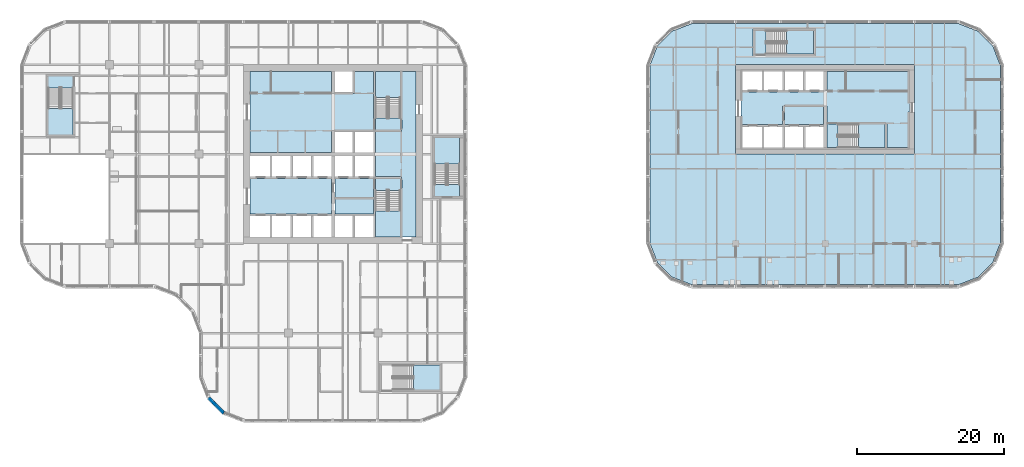
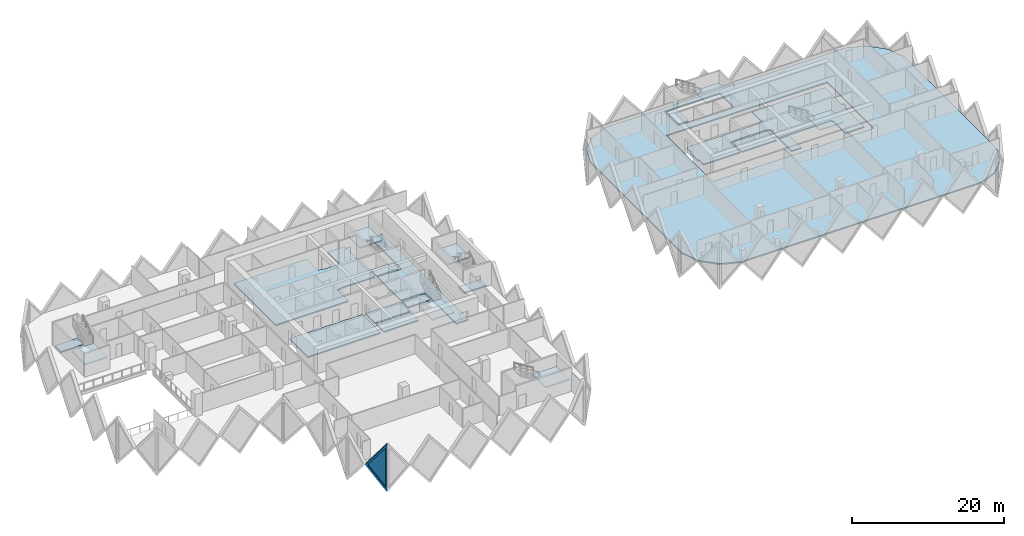
# One storey, part 3 of 20: 21 slabs, 1 plate, 1 wall, 1 opening, 7 elements without a shape of their own.
"""IFC4 building model written with IfcOpenShell, lengths in metres."""

import ifcopenshell
import ifcopenshell.guid

model = None  # the IFC model being written
_history = None  # IfcOwnerHistory: only IFC2X3 demands one
_inside = {}  # id of a spatial element -> (the spatial element, [elements in it])
_under = {}  # id of a project, library or spatial element -> (it, [spatial elements below it])
_declared = {}  # id of a project -> (the project, [libraries it declares])
_typed = {}  # id of a type object -> (the type object, [elements of that type])
_made_of = {}  # id of a material, layer set ... -> (it, [elements and type objects made of it])


def new_model(schema):
    """Start an empty IFC model of exactly this schema.

    Asked for "IFC4X3", IfcOpenShell would pick the latest addendum, in which some entities
    have other attributes; the version numbers below select the first issue.
    IFC2X3 requires an IfcOwnerHistory on every rooted entity: one is made here for all.
    """
    global model, _history
    if schema == "IFC4X3":
        model = ifcopenshell.file(schema_version=(4, 3, 0, 0))
    else:
        model = ifcopenshell.file(schema=schema)
    _inside.clear()
    _under.clear()
    _declared.clear()
    _typed.clear()
    _made_of.clear()
    _history = None
    if model.schema == "IFC2X3":
        org = make("IfcOrganization", Name="unknown")
        user = make(
            "IfcPersonAndOrganization",
            ThePerson=make("IfcPerson", FamilyName="unknown"),
            TheOrganization=org,
        )
        app = make(
            "IfcApplication",
            ApplicationDeveloper=org,
            Version="unknown",
            ApplicationFullName="unknown",
            ApplicationIdentifier="unknown",
        )
        _history = make(
            "IfcOwnerHistory",
            OwningUser=user,
            OwningApplication=app,
            ChangeAction="ADDED",
            CreationDate=0,
        )
    return model


def make(cls, **values):
    """One entity of the class cls with the attributes given. An attribute that is None is left unset."""
    return model.create_entity(
        cls, **{name: value for name, value in values.items() if value is not None}
    )


def rooted(cls, **values):
    """An entity with a GlobalId (a new one), such as an element, a storey or a relation."""
    return make(cls, GlobalId=ifcopenshell.guid.new(), OwnerHistory=_history, **values)


def si_unit(unit_type, name, prefix=None):
    """IfcSIUnit, for example si_unit("LENGTHUNIT", "METRE", prefix="MILLI")."""
    return make("IfcSIUnit", UnitType=unit_type, Prefix=prefix, Name=name)


def assignment(units):
    """IfcUnitAssignment: the units of a project."""
    return None if units is None else make("IfcUnitAssignment", Units=units)


def point(xyz):
    """IfcCartesianPoint."""
    return None if xyz is None else make("IfcCartesianPoint", Coordinates=xyz)


def direction(xyz):
    """IfcDirection."""
    return None if xyz is None else make("IfcDirection", DirectionRatios=xyz)


def frame(location, z_axis=None, x_axis=None):
    """IfcAxis2Placement3D, a coordinate frame: its origin and axes. An axis left out is left unset."""
    return make(
        "IfcAxis2Placement3D",
        Location=point(location),
        Axis=direction(z_axis),
        RefDirection=direction(x_axis),
    )


def origin():
    """The frame at (0, 0, 0) with its axes left unset."""
    return frame((0.0, 0.0, 0.0))


def place(relative_to, where):
    """IfcLocalPlacement: puts the frame where relative to a parent placement (None: the world)."""
    return make(
        "IfcLocalPlacement", PlacementRelTo=relative_to, RelativePlacement=where
    )


def context(
    kind, dimensions, precision=None, world=None, true_north=None, identifier=None
):
    """IfcGeometricRepresentationContext, for example the 3D "Model" context."""
    return make(
        "IfcGeometricRepresentationContext",
        ContextIdentifier=identifier,
        ContextType=kind,
        CoordinateSpaceDimension=dimensions,
        Precision=precision,
        WorldCoordinateSystem=world,
        TrueNorth=true_north,
    )


def subcontext(parent, identifier, kind, view, scale=None):
    """IfcGeometricRepresentationSubContext, for example "Body" below "Model"."""
    return make(
        "IfcGeometricRepresentationSubContext",
        ContextIdentifier=identifier,
        ContextType=kind,
        ParentContext=parent,
        TargetScale=scale,
        TargetView=view,
    )


def project(units=None, contexts=None):
    """IfcProject with its units and contexts."""
    return rooted(
        "IfcProject",
        Name="project",
        RepresentationContexts=contexts,
        UnitsInContext=assignment(units),
    )


def spatial(cls, under=None, at=None, **own):
    """A site, building, storey or space (cls), placed at a placement, below another one or the project."""
    s = rooted(cls, ObjectPlacement=at, **own)
    if under is not None:
        _under.setdefault(under.id(), (under, []))[1].append(s)
    return s


def polyline(points):
    """IfcPolyline through the points."""
    return make("IfcPolyline", Points=[point(p) for p in points])


def outline(outer, holes=None, kind="AREA"):
    """IfcArbitraryClosedProfileDef: a profile drawn as a closed curve; with holes, ...WithVoids."""
    if holes is None:
        return make("IfcArbitraryClosedProfileDef", ProfileType=kind, OuterCurve=outer)
    return make(
        "IfcArbitraryProfileDefWithVoids",
        ProfileType=kind,
        OuterCurve=outer,
        InnerCurves=holes,
    )


def extrude(swept, where, along, depth):
    """IfcExtrudedAreaSolid: the profile swept, set in the frame where, extruded along a direction by depth."""
    return make(
        "IfcExtrudedAreaSolid",
        SweptArea=swept,
        Position=where,
        ExtrudedDirection=direction(along),
        Depth=depth,
    )


def faces_of(points, faces, orient=None, outer=None):
    """IfcFace entities. A face is a list of loops; a loop is a list of indices into points, from 0.

    orient and outer hold one flag for each loop. By default every Orientation is true, the
    first loop of a face is its IfcFaceOuterBound and the others are IfcFaceBound.
    """
    made = []
    for i, loops in enumerate(faces):
        bounds = []
        for j, loop in enumerate(loops):
            is_outer = j == 0 if outer is None else outer[i][j]
            bounds.append(
                make(
                    "IfcFaceOuterBound" if is_outer else "IfcFaceBound",
                    Bound=make("IfcPolyLoop", Polygon=[points[k] for k in loop]),
                    Orientation=True if orient is None else orient[i][j],
                )
            )
        made.append(make("IfcFace", Bounds=bounds))
    return made


def faceted_brep(points, faces, orient=None, outer=None, voids=None):
    """IfcFacetedBrep: a solid bounded by flat faces; with voids (closed shells), ...WithVoids."""
    shared = [point(p) for p in points]
    hull = make("IfcClosedShell", CfsFaces=faces_of(shared, faces, orient, outer))
    if voids is None:
        return make("IfcFacetedBrep", Outer=hull)
    return make(
        "IfcFacetedBrepWithVoids",
        Outer=hull,
        Voids=[
            make(cls, CfsFaces=faces_of(shared, fs, o, b)) for cls, fs, o, b in voids
        ],
    )


def shape(context_of_items, identifier, shape_type, items):
    """IfcShapeRepresentation: the items that make up one representation, for example the "Body"."""
    return make(
        "IfcShapeRepresentation",
        ContextOfItems=context_of_items,
        RepresentationIdentifier=identifier,
        RepresentationType=shape_type,
        Items=items,
    )


def source(mapping_origin, context_of_items, identifier, shape_type, items):
    """IfcRepresentationMap: a shape defined once, which mapped items show again and again."""
    return make(
        "IfcRepresentationMap",
        MappingOrigin=mapping_origin,
        MappedRepresentation=shape(context_of_items, identifier, shape_type, items),
    )


def transform(
    local_origin,
    x_axis=None,
    y_axis=None,
    z_axis=None,
    scale=None,
    scale2=None,
    scale3=None,
    uniform=True,
):
    """IfcCartesianTransformationOperator3D, or its non-uniform kind. x_axis, y_axis, z_axis: its Axis1, 2, 3."""
    if uniform:
        return make(
            "IfcCartesianTransformationOperator3D",
            Axis1=direction(x_axis),
            Axis2=direction(y_axis),
            LocalOrigin=point(local_origin),
            Scale=scale,
            Axis3=direction(z_axis),
        )
    return make(
        "IfcCartesianTransformationOperator3DnonUniform",
        Axis1=direction(x_axis),
        Axis2=direction(y_axis),
        LocalOrigin=point(local_origin),
        Scale=scale,
        Axis3=direction(z_axis),
        Scale2=scale2,
        Scale3=scale3,
    )


def mapped(mapping_source, mapping_target):
    """IfcMappedItem: shows the shape of a source again, moved by a transform."""
    return make(
        "IfcMappedItem", MappingSource=mapping_source, MappingTarget=mapping_target
    )


def material(Name=None, Category=None):
    """IfcMaterial."""
    return make("IfcMaterial", Name=Name, Category=Category)


def layer(
    of_material, thickness, ventilated=None, Name=None, Category=None, Priority=None
):
    """IfcMaterialLayer: one layer of a wall or slab, of a material (None: an air gap)."""
    return make(
        "IfcMaterialLayer",
        Material=of_material,
        LayerThickness=thickness,
        IsVentilated=ventilated,
        Name=Name,
        Category=Category,
        Priority=Priority,
    )


def layer_set(layers, Name=None):
    """IfcMaterialLayerSet."""
    return make("IfcMaterialLayerSet", MaterialLayers=layers, LayerSetName=Name)


def made_of(thing, what):
    """Note that an element or type object is made of a material, layer set ...; save() writes the relation."""
    if what is not None:
        _made_of.setdefault(what.id(), (what, []))[1].append(thing)
    return thing


def type_object(cls, material=None, **own):
    """A type object (cls), such as IfcWallType, which elements share."""
    return made_of(rooted(cls, **own), material)


def element(
    cls,
    number,
    at=None,
    inside=None,
    cuts=None,
    type_object=None,
    material=None,
    context=None,
    identifier="Body",
    shape_type=None,
    held_by="IfcProductDefinitionShape",
    body=None,
    shapes=None,
    **own,
):
    """One element of the class cls, such as IfcWall. Its Tag is "e" and its number.

    at: its placement. inside: the storey or other place that contains it. cuts: it is an
    opening in that element (IfcRelVoidsElement). A single representation is given by context,
    identifier, shape_type and body (its items); several are given by shapes. held_by: the class
    of the entity that holds the representations. save() writes the other relations.
    """
    e = rooted(cls, Tag="e%d" % number, ObjectPlacement=at, **own)
    if body is not None:
        shapes = [shape(context, identifier, shape_type, body)]
    if shapes is not None:
        e.Representation = make(held_by, Representations=shapes)
    if inside is not None:
        _inside.setdefault(inside.id(), (inside, []))[1].append(e)
    if cuts is not None:
        rooted(
            "IfcRelVoidsElement", RelatingBuildingElement=cuts, RelatedOpeningElement=e
        )
    if type_object is not None:
        _typed.setdefault(type_object.id(), (type_object, []))[1].append(e)
    return made_of(e, material)


def fill(opening, filler):
    """IfcRelFillsElement: the door or window that sits in an opening."""
    return rooted(
        "IfcRelFillsElement",
        RelatingOpeningElement=opening,
        RelatedBuildingElement=filler,
    )


def aggregate(whole, parts):
    """IfcRelAggregates: a whole, such as a stair, and the parts it consists of."""
    return rooted("IfcRelAggregates", RelatingObject=whole, RelatedObjects=parts)


def save(model, path):
    """Write the relations noted so far, then the file.

    IfcRelAggregates (storeys below a building ...), IfcRelContainedInSpatialStructure (elements
    in a storey), IfcRelDefinesByType, IfcRelAssociatesMaterial and IfcRelDeclares: one each for
    every whole, place, type object, material and project.
    """
    for whole, parts in _under.values():
        aggregate(whole, parts)
    for where, things in _inside.values():
        rooted(
            "IfcRelContainedInSpatialStructure",
            RelatedElements=things,
            RelatingStructure=where,
        )
    for kind, things in _typed.values():
        rooted("IfcRelDefinesByType", RelatedObjects=things, RelatingType=kind)
    for what, things in _made_of.values():
        rooted("IfcRelAssociatesMaterial", RelatedObjects=things, RelatingMaterial=what)
    for by, libraries in _declared.values():
        rooted("IfcRelDeclares", RelatingContext=by, RelatedDefinitions=libraries)
    model.write(path)


model = new_model("IFC4")

# Units and contexts
model_context = context("Model", 3, precision=1e-05, world=origin(), true_north=direction((0.0, 1.0)))
body_context = subcontext(model_context, "Body", "Model", "MODEL_VIEW")
ifc_project = project(units=[si_unit("LENGTHUNIT", "METRE"), si_unit("AREAUNIT", "SQUARE_METRE"), si_unit("VOLUMEUNIT", "CUBIC_METRE"), si_unit("PLANEANGLEUNIT", "RADIAN"), si_unit("MASSUNIT", "GRAM", prefix="KILO")], contexts=[model_context])

# Site, building, storey
site_placement = place(None, origin())
site = spatial("IfcSite", under=ifc_project, at=site_placement, CompositionType="ELEMENT")
building_placement = place(site_placement, origin())
building = spatial("IfcBuilding", under=site, at=building_placement, Name="Tessera Gate Towers", CompositionType="ELEMENT")
storey_placement = place(building_placement, frame((0.0, 0.0, 52.39990234375)))
storey = spatial("IfcBuildingStorey", under=building, at=storey_placement, Name="L12", CompositionType="ELEMENT", Elevation=52.39990234375)

# Slabs
ifc_material_1 = material(Name="Concrete C35/45", Category="concrete")
ifc_layer_1 = layer(ifc_material_1, 0.199951171875)
ifc_layer_set_1 = layer_set([ifc_layer_1], Name="COMPOSITE FLOOR 200")
slab_type_1 = type_object("IfcSlabType", Name="COMPOSITE FLOOR 200", PredefinedType="FLOOR", material=ifc_layer_set_1)
slab_1_placement = place(storey_placement, frame((0.0, 0.0, -0.199951171875)))
element("IfcSlab", 1, at=slab_1_placement, inside=storey, type_object=slab_type_1, Name="T2-L12", PredefinedType="FLOOR", context=body_context, shape_type="SweptSolid", body=[
    extrude(outline(polyline([(85.89990234375, 24.4931640625), (86.926025390625, 21.8330078125), (88.93310546875, 19.826171875), (91.593017578125, 18.800048828125), (128.0068359375, 18.800048828125), (130.6669921875, 19.826171875), (132.673828125, 21.8330078125), (133.699951171875, 24.4931640625), (133.699951171875, 48.706787109375), (132.673828125, 51.366943359375), (130.6669921875, 53.373779296875), (128.0068359375, 54.39990234375), (91.593017578125, 54.39990234375), (88.93310546875, 53.373779296875), (86.926025390625, 51.366943359375), (85.89990234375, 48.706787109375), (85.89990234375, 24.4931640625)]), holes=[polyline([(97.60009765625, 36.60009765625), (97.60009765625, 48.800048828125), (122.0, 48.800048828125), (122.0, 36.60009765625), (97.60009765625, 36.60009765625)]), polyline([(100.0, 50.0), (100.0, 53.699951171875), (108.5, 53.699951171875), (108.5, 50.0), (100.0, 50.0)])]), origin(), (0.0, 0.0, 1.0), 0.199951171875),
])
ifc_material_2 = material(Name="Concrete C35/45", Category="concrete")
ifc_layer_2 = layer(ifc_material_2, 0.199951171875)
ifc_layer_set_2 = layer_set([ifc_layer_2], Name="CORE FLOOR SLAB 200")
slab_type_2 = type_object("IfcSlabType", Name="CORE FLOOR SLAB 200", PredefinedType="FLOOR", material=ifc_layer_set_2)
slab_2_placement = place(storey_placement, frame((0.0, 0.0, -0.199951171875)))
element("IfcSlab", 2, at=slab_2_placement, inside=storey, type_object=slab_type_2, Name="L12 core floor slab", PredefinedType="FLOOR", context=body_context, shape_type="SweptSolid", body=[
    extrude(outline(polyline([(31.39990234375, 47.89990234375), (31.39990234375, 36.85009765625), (42.449951171875, 36.85009765625), (42.449951171875, 39.800048828125), (42.949951171875, 39.800048828125), (42.949951171875, 39.925048828125), (48.22509765625, 39.925048828125), (48.22509765625, 47.89990234375), (45.64990234375, 47.89990234375), (45.64990234375, 44.89990234375), (45.39990234375, 44.89990234375), (45.39990234375, 44.77490234375), (42.949951171875, 44.77490234375), (42.949951171875, 44.89990234375), (42.449951171875, 44.89990234375), (42.449951171875, 47.89990234375), (31.39990234375, 47.89990234375)])), origin(), (0.0, 0.0, 1.0), 0.199951171875),
])
slab_3_placement = place(storey_placement, frame((0.0, 0.0, -0.199951171875)))
element("IfcSlab", 3, at=slab_3_placement, inside=storey, type_object=slab_type_2, Name="L12 core floor slab", PredefinedType="FLOOR", context=body_context, shape_type="SweptSolid", body=[
    extrude(outline(polyline([(48.35009765625, 36.85009765625), (48.35009765625, 36.35009765625), (48.47509765625, 36.35009765625), (48.47509765625, 33.52490234375), (52.0, 33.52490234375), (52.0, 33.27490234375), (52.125, 33.27490234375), (52.125, 25.300048828125), (54.0, 25.300048828125), (54.0, 47.89990234375), (52.125, 47.89990234375), (52.125, 39.925048828125), (52.0, 39.925048828125), (52.0, 39.675048828125), (48.47509765625, 39.675048828125), (48.47509765625, 36.85009765625), (48.35009765625, 36.85009765625)])), origin(), (0.0, 0.0, 1.0), 0.199951171875),
])
slab_4_placement = place(storey_placement, frame((0.0, 0.0, -0.199951171875)))
element("IfcSlab", 4, at=slab_4_placement, inside=storey, type_object=slab_type_2, Name="L12 core floor slab", PredefinedType="FLOOR", context=body_context, shape_type="SweptSolid", body=[
    extrude(outline(polyline([(42.449951171875, 28.425048828125), (42.449951171875, 33.27490234375), (31.39990234375, 33.27490234375), (31.39990234375, 28.425048828125), (42.449951171875, 28.425048828125)])), origin(), (0.0, 0.0, 1.0), 0.199951171875),
])
slab_5_placement = place(storey_placement, frame((0.0, 0.0, -0.199951171875)))
element("IfcSlab", 5, at=slab_5_placement, inside=storey, type_object=slab_type_2, Name="L12 core floor slab", PredefinedType="FLOOR", context=body_context, shape_type="SweptSolid", body=[
    extrude(outline(polyline([(42.949951171875, 33.27490234375), (42.949951171875, 30.72509765625), (48.22509765625, 30.72509765625), (48.22509765625, 33.27490234375), (42.949951171875, 33.27490234375)])), origin(), (0.0, 0.0, 1.0), 0.199951171875),
])
slab_6_placement = place(storey_placement, frame((0.0, 0.0, -0.199951171875)))
element("IfcSlab", 6, at=slab_6_placement, inside=storey, type_object=slab_type_2, Name="L12 core floor slab", PredefinedType="FLOOR", context=body_context, shape_type="SweptSolid", body=[
    extrude(outline(polyline([(42.949951171875, 30.47509765625), (42.949951171875, 28.425048828125), (48.22509765625, 28.425048828125), (48.22509765625, 30.47509765625), (42.949951171875, 30.47509765625)])), origin(), (0.0, 0.0, 1.0), 0.199951171875),
])
slab_7_placement = place(storey_placement, frame((0.0, 0.0, -0.199951171875)))
element("IfcSlab", 7, at=slab_7_placement, inside=storey, type_object=slab_type_2, Name="L12 core floor slab", PredefinedType="FLOOR", context=body_context, shape_type="SweptSolid", body=[
    extrude(outline(polyline([(51.875, 31.675048828125), (51.875, 33.27490234375), (48.47509765625, 33.27490234375), (48.47509765625, 31.675048828125), (51.875, 31.675048828125)])), origin(), (0.0, 0.0, 1.0), 0.199951171875),
])
slab_8_placement = place(storey_placement, frame((0.0, 0.0, -0.199951171875)))
element("IfcSlab", 8, at=slab_8_placement, inside=storey, type_object=slab_type_2, Name="L12 core floor slab", PredefinedType="FLOOR", context=body_context, shape_type="SweptSolid", body=[
    extrude(outline(polyline([(48.47509765625, 41.52490234375), (48.47509765625, 39.925048828125), (51.875, 39.925048828125), (51.875, 41.52490234375), (48.47509765625, 41.52490234375)])), origin(), (0.0, 0.0, 1.0), 0.199951171875),
])
slab_9_placement = place(storey_placement, frame((0.0, 0.0, -0.199951171875)))
element("IfcSlab", 9, at=slab_9_placement, inside=storey, type_object=slab_type_2, Name="L12 ST3 floor landing", PredefinedType="FLOOR", context=body_context, shape_type="SweptSolid", body=[
    extrude(outline(polyline([(3.85009765625, 47.25), (3.85009765625, 45.64990234375), (7.25, 45.64990234375), (7.25, 47.25), (3.85009765625, 47.25)])), origin(), (0.0, 0.0, 1.0), 0.199951171875),
])
slab_10_placement = place(storey_placement, frame((0.0, 0.0, -0.199951171875)))
element("IfcSlab", 10, at=slab_10_placement, inside=storey, type_object=slab_type_2, Name="L12 ST5 floor landing", PredefinedType="FLOOR", context=body_context, shape_type="SweptSolid", body=[
    extrude(outline(polyline([(59.949951171875, 30.85009765625), (59.949951171875, 32.449951171875), (56.550048828125, 32.449951171875), (56.550048828125, 30.85009765625), (59.949951171875, 30.85009765625)])), origin(), (0.0, 0.0, 1.0), 0.199951171875),
])
slab_11_placement = place(storey_placement, frame((0.0, 0.0, -0.199951171875)))
element("IfcSlab", 11, at=slab_11_placement, inside=storey, type_object=slab_type_2, Name="L12 core floor slab", PredefinedType="FLOOR", context=body_context, shape_type="SweptSolid", body=[
    extrude(outline(polyline([(109.550048828125, 45.199951171875), (109.550048828125, 45.074951171875), (98.5, 45.074951171875), (98.5, 43.89990234375), (98.300048828125, 43.89990234375), (98.300048828125, 41.800048828125), (98.5, 41.800048828125), (98.5, 40.625), (104.02490234375, 40.625), (104.02490234375, 43.199951171875), (104.27490234375, 43.199951171875), (104.27490234375, 43.324951171875), (109.550048828125, 43.324951171875), (109.550048828125, 43.199951171875), (110.050048828125, 43.199951171875), (110.050048828125, 40.949951171875), (118.10009765625, 40.949951171875), (118.10009765625, 40.699951171875), (118.22509765625, 40.699951171875), (118.22509765625, 37.5), (121.10009765625, 37.5), (121.10009765625, 42.35009765625), (121.300048828125, 42.35009765625), (121.300048828125, 43.550048828125), (121.10009765625, 43.550048828125), (121.10009765625, 47.89990234375), (110.050048828125, 47.89990234375), (110.050048828125, 45.199951171875), (109.550048828125, 45.199951171875)])), origin(), (0.0, 0.0, 1.0), 0.199951171875),
])
slab_12_placement = place(storey_placement, frame((0.0, 0.0, -0.199951171875)))
element("IfcSlab", 12, at=slab_12_placement, inside=storey, type_object=slab_type_2, Name="L12 core floor slab", PredefinedType="FLOOR", context=body_context, shape_type="SweptSolid", body=[
    extrude(outline(polyline([(109.550048828125, 43.074951171875), (104.27490234375, 43.074951171875), (104.27490234375, 40.625), (109.550048828125, 40.625), (109.550048828125, 43.074951171875)])), origin(), (0.0, 0.0, 1.0), 0.199951171875),
])
slab_13_placement = place(storey_placement, frame((0.0, 0.0, -0.199951171875)))
element("IfcSlab", 13, at=slab_13_placement, inside=storey, type_object=slab_type_2, Name="L12 core floor slab", PredefinedType="FLOOR", context=body_context, shape_type="SweptSolid", body=[
    extrude(outline(polyline([(111.550048828125, 37.5), (111.550048828125, 40.699951171875), (110.050048828125, 40.699951171875), (110.050048828125, 37.5), (111.550048828125, 37.5)])), origin(), (0.0, 0.0, 1.0), 0.199951171875),
])
slab_14_placement = place(storey_placement, frame((0.0, 0.0, -0.199951171875)))
element("IfcSlab", 14, at=slab_14_placement, inside=storey, type_object=slab_type_2, Name="L12 ST7 floor landing", PredefinedType="FLOOR", context=body_context, shape_type="SweptSolid", body=[
    extrude(outline(polyline([(100.25, 50.25), (101.75, 50.25), (101.75, 53.449951171875), (100.25, 53.449951171875), (100.25, 50.25)])), origin(), (0.0, 0.0, 1.0), 0.199951171875),
])

# Stair, slab
ifc_material_3 = material(Name="Concrete C40/50", Category="concrete")
stair_type_1 = type_object("IfcStairType", Name="EXIT STAIR ST1 1600", PredefinedType="HALF_TURN_STAIR", material=ifc_material_3)
stair_1_placement = place(storey_placement, origin())
stair_1 = element("IfcStair", 15, at=stair_1_placement, inside=storey, type_object=stair_type_1, Name="L12 Protected Exit Stair ST1", PredefinedType="HALF_TURN_STAIR")
ifc_material_4 = material(Name="Concrete C40/50", Category="concrete")
ifc_layer_3 = layer(ifc_material_4, 0.199951171875)
ifc_layer_set_3 = layer_set([ifc_layer_3], Name="EXIT STAIR LANDING 200")
slab_type_3 = type_object("IfcSlabType", Name="EXIT STAIR LANDING 200", PredefinedType="LANDING", material=ifc_layer_set_3)
slab_15_placement = place(storey_placement, frame((0.0, 0.0, 1.7001953125)))
slab_15 = element("IfcSlab", 16, at=slab_15_placement, type_object=slab_type_3, Name="ST1 landing 1", PredefinedType="LANDING", context=body_context, shape_type="SweptSolid", body=[
    extrude(outline(polyline([(48.47509765625, 28.875), (48.47509765625, 25.300048828125), (51.875, 25.300048828125), (51.875, 28.875), (48.47509765625, 28.875)])), origin(), (0.0, 0.0, 1.0), 0.199951171875),
])
aggregate(stair_1, [slab_15])

ifc_material_5 = material(Name="Concrete C40/50", Category="concrete")
stair_type_2 = type_object("IfcStairType", Name="EXIT STAIR ST2 1600", PredefinedType="HALF_TURN_STAIR", material=ifc_material_5)
stair_2_placement = place(storey_placement, origin())
stair_2 = element("IfcStair", 17, at=stair_2_placement, inside=storey, type_object=stair_type_2, Name="L12 Protected Exit Stair ST2", PredefinedType="HALF_TURN_STAIR")
slab_16_placement = place(storey_placement, frame((0.0, 0.0, 1.7001953125)))
slab_16 = element("IfcSlab", 18, at=slab_16_placement, type_object=slab_type_3, Name="ST2 landing 1", PredefinedType="LANDING", context=body_context, shape_type="SweptSolid", body=[
    extrude(outline(polyline([(51.875, 44.324951171875), (51.875, 47.89990234375), (48.47509765625, 47.89990234375), (48.47509765625, 44.324951171875), (51.875, 44.324951171875)])), origin(), (0.0, 0.0, 1.0), 0.199951171875),
])
aggregate(stair_2, [slab_16])

ifc_material_6 = material(Name="Concrete C40/50", Category="concrete")
stair_type_3 = type_object("IfcStairType", Name="EXIT STAIR ST3 1600", PredefinedType="HALF_TURN_STAIR", material=ifc_material_6)
stair_3_placement = place(storey_placement, origin())
stair_3 = element("IfcStair", 19, at=stair_3_placement, inside=storey, type_object=stair_type_3, Name="L12 West Exit Stair ST3", PredefinedType="HALF_TURN_STAIR")
slab_17_placement = place(storey_placement, frame((0.0, 0.0, 1.7001953125)))
slab_17 = element("IfcSlab", 20, at=slab_17_placement, type_object=slab_type_3, Name="ST3 landing 1", PredefinedType="LANDING", context=body_context, shape_type="SweptSolid", body=[
    extrude(outline(polyline([(3.85009765625, 42.85009765625), (3.85009765625, 39.25), (7.25, 39.25), (7.25, 42.85009765625), (3.85009765625, 42.85009765625)])), origin(), (0.0, 0.0, 1.0), 0.199951171875),
])
aggregate(stair_3, [slab_17])

ifc_material_7 = material(Name="Concrete C40/50", Category="concrete")
stair_type_4 = type_object("IfcStairType", Name="EXIT STAIR ST4 1600", PredefinedType="HALF_TURN_STAIR", material=ifc_material_7)
stair_4_placement = place(storey_placement, origin())
stair_4 = element("IfcStair", 21, at=stair_4_placement, inside=storey, type_object=stair_type_4, Name="L12 South Exit Stair ST4", PredefinedType="HALF_TURN_STAIR")
slab_18_placement = place(storey_placement, frame((0.0, 0.0, 1.7001953125)))
slab_18 = element("IfcSlab", 22, at=slab_18_placement, type_object=slab_type_3, Name="ST4 landing 1", PredefinedType="LANDING", context=body_context, shape_type="SweptSolid", body=[
    extrude(outline(polyline([(53.64990234375, 4.449951171875), (57.25, 4.449951171875), (57.25, 7.85009765625), (53.64990234375, 7.85009765625), (53.64990234375, 4.449951171875)])), origin(), (0.0, 0.0, 1.0), 0.199951171875),
])
aggregate(stair_4, [slab_18])

ifc_material_8 = material(Name="Concrete C40/50", Category="concrete")
stair_type_5 = type_object("IfcStairType", Name="EXIT STAIR ST5 1600", PredefinedType="HALF_TURN_STAIR", material=ifc_material_8)
stair_5_placement = place(storey_placement, origin())
stair_5 = element("IfcStair", 23, at=stair_5_placement, inside=storey, type_object=stair_type_5, Name="L12 East Exit Stair ST5", PredefinedType="HALF_TURN_STAIR")
slab_19_placement = place(storey_placement, frame((0.0, 0.0, 1.7001953125)))
slab_19 = element("IfcSlab", 24, at=slab_19_placement, type_object=slab_type_3, Name="ST5 landing 1", PredefinedType="LANDING", context=body_context, shape_type="SweptSolid", body=[
    extrude(outline(polyline([(59.949951171875, 35.25), (59.949951171875, 38.85009765625), (56.550048828125, 38.85009765625), (56.550048828125, 35.25), (59.949951171875, 35.25)])), origin(), (0.0, 0.0, 1.0), 0.199951171875),
])
aggregate(stair_5, [slab_19])

ifc_material_9 = material(Name="Concrete C40/50", Category="concrete")
stair_type_6 = type_object("IfcStairType", Name="EXIT STAIR ST6 1500", PredefinedType="HALF_TURN_STAIR", material=ifc_material_9)
stair_6_placement = place(storey_placement, origin())
stair_6 = element("IfcStair", 25, at=stair_6_placement, inside=storey, type_object=stair_type_6, Name="L12 Protected Exit Stair ST6", PredefinedType="HALF_TURN_STAIR")
slab_20_placement = place(storey_placement, frame((0.0, 0.0, 1.7001953125)))
slab_20 = element("IfcSlab", 26, at=slab_20_placement, type_object=slab_type_3, Name="ST6 landing 1", PredefinedType="LANDING", context=body_context, shape_type="SweptSolid", body=[
    extrude(outline(polyline([(114.35009765625, 37.5), (117.97509765625, 37.5), (117.97509765625, 40.699951171875), (114.35009765625, 40.699951171875), (114.35009765625, 37.5)])), origin(), (0.0, 0.0, 1.0), 0.199951171875),
])
aggregate(stair_6, [slab_20])

ifc_material_10 = material(Name="Concrete C40/50", Category="concrete")
stair_type_7 = type_object("IfcStairType", Name="EXIT STAIR ST7 1500", PredefinedType="HALF_TURN_STAIR", material=ifc_material_10)
stair_7_placement = place(storey_placement, origin())
stair_7 = element("IfcStair", 27, at=stair_7_placement, inside=storey, type_object=stair_type_7, Name="L12 North Exit Stair ST7", PredefinedType="HALF_TURN_STAIR")
slab_21_placement = place(storey_placement, frame((0.0, 0.0, 1.7001953125)))
slab_21 = element("IfcSlab", 28, at=slab_21_placement, type_object=slab_type_3, Name="ST7 landing 1", PredefinedType="LANDING", context=body_context, shape_type="SweptSolid", body=[
    extrude(outline(polyline([(104.550048828125, 50.25), (108.25, 50.25), (108.25, 53.449951171875), (104.550048828125, 53.449951171875), (104.550048828125, 50.25)])), origin(), (0.0, 0.0, 1.0), 0.199951171875),
])
aggregate(stair_7, [slab_21])

# Wall, opening, plate
ifc_material_11 = material(Name="Precast concrete C60/75 white", Category="concrete")
ifc_layer_4 = layer(ifc_material_11, 0.5)
ifc_layer_set_4 = layer_set([ifc_layer_4], Name="TS3 corner tessera")
wall_type = type_object("IfcWallType", Name="TS3 corner tessera", PredefinedType="SOLIDWALL", material=ifc_layer_set_4)
shared_shape_1 = source(origin(), body_context, "Body", "Brep", [
    faceted_brep([(2.944091796875, -0.25, 0.0), (2.9970703125, -0.25, 0.068115234375), (2.9970703125, -0.25, 7.53173828125), (2.944091796875, -0.25, 7.599853515625), (0.0, -0.25, 3.7998046875), (0.052978515625, 0.25, 3.8681640625), (2.89111328125, 0.25, 7.53173828125), (2.89111328125, 0.25, 0.068115234375), (0.052978515625, 0.25, 3.7314453125), (2.944091796875, 0.000244140625, 0.0), (2.944091796875, 0.000244140625, 7.599853515625), (0.0, 0.0, 3.7998046875)], [[[0, 1, 2, 3, 4]], [[5, 6, 7, 8]], [[1, 0, 9]], [[10, 3, 2]], [[6, 5, 11, 4, 3, 10]], [[8, 7, 9, 0, 4, 11]], [[8, 11, 5]], [[1, 9, 7, 6, 10, 2]]]),
])
wall_placement = place(storey_placement, frame((25.7119140625, 3.393798828125, -3.7998046875), z_axis=(0.0, 0.0, 1.0), x_axis=(0.707066050402, -0.707147509625, 0.0)))
wall = element("IfcWall", 29, at=wall_placement, inside=storey, type_object=wall_type, Name="Precast corner tessera T1 TS3-0263", PredefinedType="SOLIDWALL", context=body_context, shape_type="MappedRepresentation", body=[
    mapped(shared_shape_1, transform((0.0, 0.0, 0.0), scale=1.0)),
])
shared_shape_2 = source(origin(), body_context, "Body", "SweptSolid", [
    extrude(outline(polyline([(2.744140625, 6.93359375), (0.316162109375, 3.7998046875), (2.744140625, 0.666259765625), (2.744140625, 6.93359375)])), frame((0.0, 0.260009765625, 0.0), z_axis=(0.0, -1.0, 0.0), x_axis=(1.0, 0.0, 0.0)), (0.0, 0.0, 1.0), 0.52001953125),
])
opening_placement = place(wall_placement, origin())
opening = element("IfcOpeningElement", 30, at=opening_placement, cuts=wall, Name="Opening T1-PL2-0374", PredefinedType="OPENING", context=body_context, shape_type="MappedRepresentation", body=[
    mapped(shared_shape_2, transform((0.0, 0.0, 0.0), scale=1.0)),
])
ifc_material_12 = material(Name="Low-e laminated glass", Category="glass")
ifc_layer_5 = layer(ifc_material_12, 0.06005859375)
ifc_layer_set_5 = layer_set([ifc_layer_5], Name="PL2 rhombic pane")
plate_type = type_object("IfcPlateType", Name="PL2 rhombic pane", PredefinedType="SHEET", material=ifc_layer_set_5)
shared_shape_3 = source(origin(), body_context, "Body", "SweptSolid", [
    extrude(outline(polyline([(2.744140625, 6.93359375), (0.316162109375, 3.7998046875), (2.744140625, 0.666259765625), (2.744140625, 6.93359375)])), frame((0.0, 0.030029296875, 0.0), z_axis=(0.0, -1.0, 0.0), x_axis=(1.0, 0.0, 0.0)), (0.0, 0.0, 1.0), 0.06005859375),
])
plate_placement = place(opening_placement, origin())
plate = element("IfcPlate", 31, at=plate_placement, inside=storey, type_object=plate_type, Name="Glass pane T1 PL2-0374", PredefinedType="SHEET", context=body_context, shape_type="MappedRepresentation", body=[
    mapped(shared_shape_3, transform((0.0, 0.0, 0.0), scale=1.0)),
])
fill(opening, plate)

save(model, "model.ifc")
